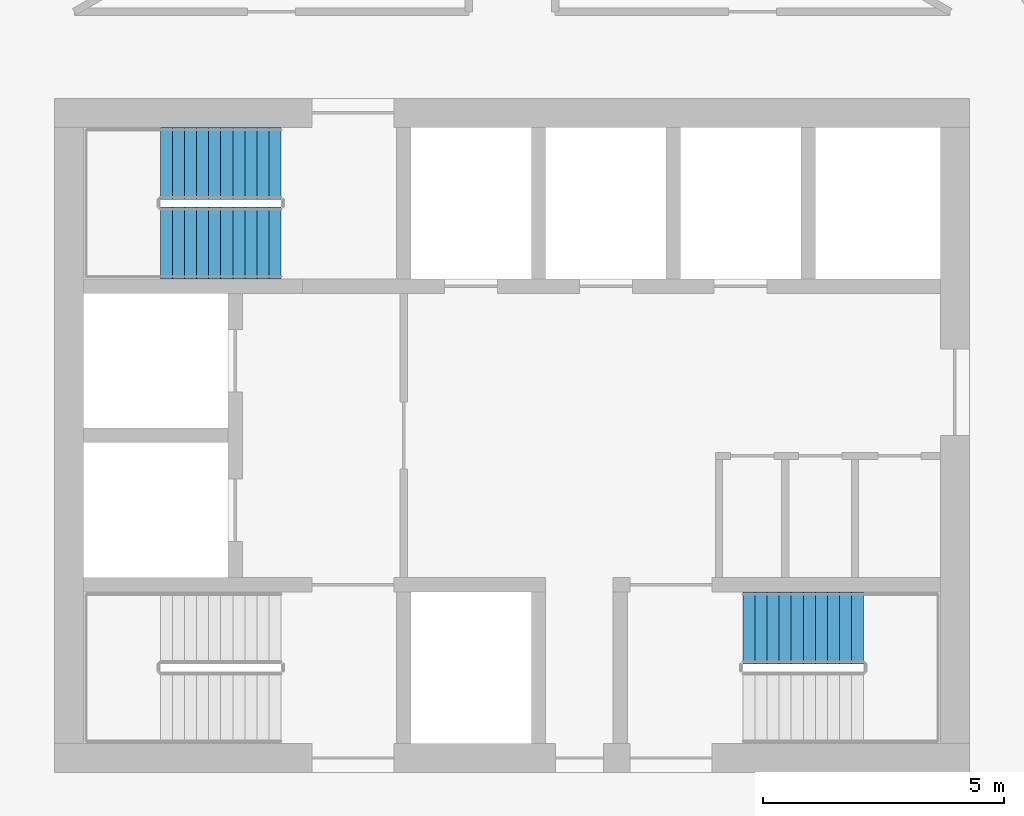
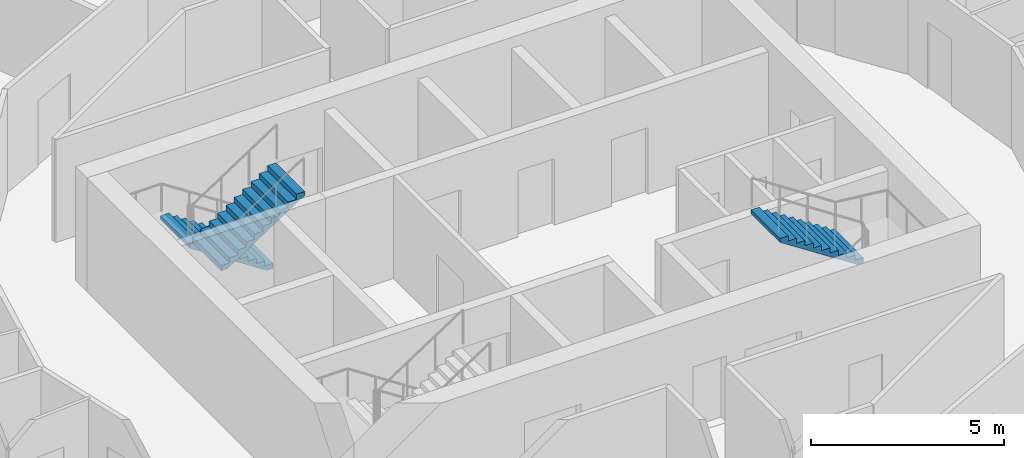
# One storey, part 11 of 13: 3 stair flights, 2 elements without a shape of their own.
"""IFC4 building model written with IfcOpenShell, lengths in metres."""

from ifc_helpers import new_model, si_unit, direction, frame, origin, place, context, subcontext, project, spatial, polyline, outline, extrude, material, type_object, element, aggregate, save


model = new_model("IFC4")

# Units and contexts
model_context = context("Model", 3, precision=1e-05, world=origin(), true_north=direction((0.0, 1.0)))
body_context = subcontext(model_context, "Body", "Model", "MODEL_VIEW")
ifc_project = project(units=[si_unit("LENGTHUNIT", "METRE"), si_unit("AREAUNIT", "SQUARE_METRE"), si_unit("VOLUMEUNIT", "CUBIC_METRE"), si_unit("PLANEANGLEUNIT", "RADIAN"), si_unit("MASSUNIT", "GRAM", prefix="KILO")], contexts=[model_context])

# Site, building, storey
site_placement = place(None, origin())
site = spatial("IfcSite", under=ifc_project, at=site_placement, CompositionType="ELEMENT")
building_placement = place(site_placement, origin())
building = spatial("IfcBuilding", under=site, at=building_placement, Name="Tracery Tower", CompositionType="ELEMENT")
storey_placement = place(building_placement, frame((0.0, 0.0, 231.0)))
storey = spatial("IfcBuildingStorey", under=building, at=storey_placement, Name="L59", CompositionType="ELEMENT", Elevation=231.0)

# Stair, stair flights
ifc_material_1 = material(Name="Concrete C32/40", Category="concrete")
stair_type = type_object("IfcStairType", Name="Core stair 22 risers", PredefinedType="HALF_TURN_STAIR", material=ifc_material_1)
stair_1_placement = place(storey_placement, origin())
stair_1 = element("IfcStair", 1, at=stair_1_placement, inside=storey, type_object=stair_type, Name="L59 stair ST3", PredefinedType="HALF_TURN_STAIR")
ifc_material_2 = material(Name="Concrete C32/40", Category="concrete")
stair_flight_type = type_object("IfcStairFlightType", Name="Core stair flight 11 risers", PredefinedType="STRAIGHT", material=ifc_material_2)
stair_flight_1_placement = place(storey_placement, frame((-4.800048828125, 5.64990234375, 0.0), z_axis=(0.0, 0.0, 1.0), x_axis=(-1.0, 0.0, 0.0)))
stair_flight_1 = element("IfcStairFlight", 2, at=stair_flight_1_placement, type_object=stair_flight_type, Name="ST3 flight 1", NumberOfRisers=11, NumberOfTreads=10, PredefinedType="STRAIGHT", RiserHeight=0.163636364, TreadLength=0.25, context=body_context, shape_type="SweptSolid", body=[
    extrude(outline(polyline([(0.0, 0.0), (0.0, 0.002685546875), (0.0, 0.00537109375), (0.0, 0.008056640625), (0.0, 0.0107421875), (0.0, 0.013427734375), (0.0, 0.01611328125), (0.0, 0.018798828125), (0.0, 0.021484375), (0.0, 0.024169921875), (0.0, 0.02685546875), (0.0, 0.029541015625), (0.0, 0.0322265625), (0.0, 0.034912109375), (0.0, 0.03759765625), (0.0, 0.040283203125), (0.0, 0.04296875), (0.0, 0.045654296875), (0.0, 0.04833984375), (0.0, 0.051025390625), (0.0, 0.0537109375), (0.0, 0.056396484375), (0.0, 0.05908203125), (0.0, 0.061767578125), (0.0, 0.064453125), (0.0, 0.067138671875), (0.0, 0.06982421875), (0.0, 0.072509765625), (0.0, 0.0751953125), (0.0, 0.077880859375), (0.0, 0.08056640625), (0.0, 0.083251953125), (0.0, 0.0859375), (0.0, 0.088623046875), (0.0, 0.09130859375), (0.0, 0.093994140625), (0.0, 0.0966796875), (0.0, 0.099365234375), (0.0, 0.10205078125), (0.0, 0.104736328125), (0.0, 0.107421875), (0.0, 0.10986328125), (0.0, 0.112548828125), (0.0, 0.115234375), (0.0, 0.117919921875), (0.0, 0.12060546875), (0.0, 0.123291015625), (0.0, 0.1259765625), (0.0, 0.128662109375), (0.0, 0.13134765625), (0.0, 0.134033203125), (0.0, 0.13671875), (0.0, 0.139404296875), (0.0, 0.14208984375), (0.0, 0.144775390625), (0.0, 0.1474609375), (0.0, 0.150146484375), (0.0, 0.15283203125), (0.0, 0.155517578125), (0.0, 0.158203125), (0.0, 0.160888671875), (0.0, 0.16357421875), (0.25, 0.16357421875), (0.25, 0.327392578125), (0.5, 0.327392578125), (0.5, 0.490966796875), (0.75, 0.490966796875), (0.75, 0.654541015625), (1.0, 0.654541015625), (1.0, 0.818115234375), (1.25, 0.818115234375), (1.25, 0.98193359375), (1.5, 0.98193359375), (1.5, 1.1455078125), (1.75, 1.1455078125), (1.75, 1.30908203125), (2.0, 1.30908203125), (2.0, 1.47265625), (2.25, 1.47265625), (2.25, 1.636474609375), (2.5, 1.636474609375), (2.5, 1.634521484375), (2.5, 1.63232421875), (2.5, 1.63037109375), (2.5, 1.62841796875), (2.5, 1.62646484375), (2.5, 1.62451171875), (2.5, 1.62255859375), (2.5, 1.62060546875), (2.5, 1.61865234375), (2.5, 1.61669921875), (2.5, 1.61474609375), (2.5, 1.61279296875), (2.5, 1.61083984375), (2.5, 1.60888671875), (2.5, 1.60693359375), (2.5, 1.60498046875), (2.5, 1.60302734375), (2.5, 1.60107421875), (2.5, 1.59912109375), (2.5, 1.59716796875), (2.5, 1.59521484375), (2.5, 1.59326171875), (2.5, 1.59130859375), (2.5, 1.58935546875), (2.5, 1.58740234375), (2.5, 1.58544921875), (2.5, 1.58349609375), (2.5, 1.58154296875), (2.5, 1.57958984375), (2.5, 1.57763671875), (2.5, 1.57568359375), (2.5, 1.573486328125), (2.5, 1.571533203125), (2.5, 1.569580078125), (2.5, 1.567626953125), (2.5, 1.565673828125), (2.5, 1.563720703125), (2.5, 1.561767578125), (2.5, 1.559814453125), (2.5, 1.557861328125), (2.5, 1.555908203125), (2.5, 1.553955078125), (2.5, 1.552001953125), (2.5, 1.550048828125), (2.5, 1.548095703125), (2.5, 1.546142578125), (2.5, 1.544189453125), (2.5, 1.542236328125), (2.5, 1.540283203125), (2.5, 1.538330078125), (2.5, 1.536376953125), (2.5, 1.534423828125), (2.5, 1.532470703125), (2.5, 1.530517578125), (2.5, 1.528564453125), (2.5, 1.526611328125), (2.5, 1.524658203125), (2.5, 1.522705078125), (2.5, 1.520751953125), (2.5, 1.518798828125), (2.5, 1.516845703125), (0.182861328125, 0.0), (0.0, 0.0)])), frame((0.0, 0.75, 0.0), z_axis=(0.0, -1.0, 0.0), x_axis=(1.0, 0.0, 0.0)), (0.0, 0.0, 1.0), 1.5),
])
stair_flight_2_placement = place(storey_placement, frame((-7.300048828125, 4.0, 1.800048828125), z_axis=(0.0, 0.0, 1.0), x_axis=(1.0, 0.0, 0.0)))
stair_flight_2 = element("IfcStairFlight", 3, at=stair_flight_2_placement, type_object=stair_flight_type, Name="ST3 flight 2", NumberOfRisers=11, NumberOfTreads=10, PredefinedType="STRAIGHT", RiserHeight=0.163636364, TreadLength=0.25, context=body_context, shape_type="SweptSolid", body=[
    extrude(outline(polyline([(0.0, 0.0), (0.0, 0.002685546875), (0.0, 0.00537109375), (0.0, 0.008056640625), (0.0, 0.0107421875), (0.0, 0.013427734375), (0.0, 0.01611328125), (0.0, 0.018798828125), (0.0, 0.021484375), (0.0, 0.024169921875), (0.0, 0.02685546875), (0.0, 0.029541015625), (0.0, 0.0322265625), (0.0, 0.034912109375), (0.0, 0.03759765625), (0.0, 0.040283203125), (0.0, 0.04296875), (0.0, 0.045654296875), (0.0, 0.04833984375), (0.0, 0.051025390625), (0.0, 0.0537109375), (0.0, 0.056396484375), (0.0, 0.05908203125), (0.0, 0.061767578125), (0.0, 0.064453125), (0.0, 0.067138671875), (0.0, 0.06982421875), (0.0, 0.072509765625), (0.0, 0.0751953125), (0.0, 0.077880859375), (0.0, 0.08056640625), (0.0, 0.083251953125), (0.0, 0.0859375), (0.0, 0.088623046875), (0.0, 0.09130859375), (0.0, 0.093994140625), (0.0, 0.0966796875), (0.0, 0.099365234375), (0.0, 0.10205078125), (0.0, 0.104736328125), (0.0, 0.107421875), (0.0, 0.10986328125), (0.0, 0.112548828125), (0.0, 0.115234375), (0.0, 0.117919921875), (0.0, 0.12060546875), (0.0, 0.123291015625), (0.0, 0.1259765625), (0.0, 0.128662109375), (0.0, 0.13134765625), (0.0, 0.134033203125), (0.0, 0.13671875), (0.0, 0.139404296875), (0.0, 0.14208984375), (0.0, 0.144775390625), (0.0, 0.1474609375), (0.0, 0.150146484375), (0.0, 0.15283203125), (0.0, 0.155517578125), (0.0, 0.158203125), (0.0, 0.160888671875), (0.0, 0.16357421875), (0.25, 0.16357421875), (0.25, 0.327392578125), (0.5, 0.327392578125), (0.5, 0.490966796875), (0.75, 0.490966796875), (0.75, 0.654541015625), (1.0, 0.654541015625), (1.0, 0.818115234375), (1.25, 0.818115234375), (1.25, 0.98193359375), (1.5, 0.98193359375), (1.5, 1.1455078125), (1.75, 1.1455078125), (1.75, 1.30908203125), (2.0, 1.30908203125), (2.0, 1.47265625), (2.25, 1.47265625), (2.25, 1.636474609375), (2.5, 1.636474609375), (2.5, 1.634521484375), (2.5, 1.63232421875), (2.5, 1.63037109375), (2.5, 1.62841796875), (2.5, 1.62646484375), (2.5, 1.62451171875), (2.5, 1.62255859375), (2.5, 1.62060546875), (2.5, 1.61865234375), (2.5, 1.61669921875), (2.5, 1.61474609375), (2.5, 1.61279296875), (2.5, 1.61083984375), (2.5, 1.60888671875), (2.5, 1.60693359375), (2.5, 1.60498046875), (2.5, 1.60302734375), (2.5, 1.60107421875), (2.5, 1.59912109375), (2.5, 1.59716796875), (2.5, 1.59521484375), (2.5, 1.59326171875), (2.5, 1.59130859375), (2.5, 1.58935546875), (2.5, 1.58740234375), (2.5, 1.58544921875), (2.5, 1.58349609375), (2.5, 1.58154296875), (2.5, 1.57958984375), (2.5, 1.57763671875), (2.5, 1.57568359375), (2.5, 1.573486328125), (2.5, 1.571533203125), (2.5, 1.569580078125), (2.5, 1.567626953125), (2.5, 1.565673828125), (2.5, 1.563720703125), (2.5, 1.561767578125), (2.5, 1.559814453125), (2.5, 1.557861328125), (2.5, 1.555908203125), (2.5, 1.553955078125), (2.5, 1.552001953125), (2.5, 1.550048828125), (2.5, 1.548095703125), (2.5, 1.546142578125), (2.5, 1.544189453125), (2.5, 1.542236328125), (2.5, 1.540283203125), (2.5, 1.538330078125), (2.5, 1.536376953125), (2.5, 1.534423828125), (2.5, 1.532470703125), (2.5, 1.530517578125), (2.5, 1.528564453125), (2.5, 1.526611328125), (2.5, 1.524658203125), (2.5, 1.522705078125), (2.5, 1.520751953125), (2.5, 1.518798828125), (2.5, 1.516845703125), (0.182861328125, 0.0), (0.0, 0.0)])), frame((0.0, 0.75, 0.0), z_axis=(0.0, -1.0, 0.0), x_axis=(1.0, 0.0, 0.0)), (0.0, 0.0, 1.0), 1.5),
])
aggregate(stair_1, [stair_flight_1, stair_flight_2])

# Stair, stair flight
stair_2_placement = place(storey_placement, origin())
stair_2 = element("IfcStair", 4, at=stair_2_placement, inside=storey, type_object=stair_type, Name="L59 stair ST2", PredefinedType="HALF_TURN_STAIR")
stair_flight_3_placement = place(storey_placement, frame((7.300048828125, -4.0, 1.800048828125), z_axis=(0.0, 0.0, 1.0), x_axis=(-1.0, 0.0, 0.0)))
stair_flight_3 = element("IfcStairFlight", 5, at=stair_flight_3_placement, type_object=stair_flight_type, Name="ST2 flight 2", NumberOfRisers=11, NumberOfTreads=10, PredefinedType="STRAIGHT", RiserHeight=0.163636364, TreadLength=0.25, context=body_context, shape_type="SweptSolid", body=[
    extrude(outline(polyline([(0.0, 0.0), (0.0, 0.002685546875), (0.0, 0.00537109375), (0.0, 0.008056640625), (0.0, 0.0107421875), (0.0, 0.013427734375), (0.0, 0.01611328125), (0.0, 0.018798828125), (0.0, 0.021484375), (0.0, 0.024169921875), (0.0, 0.02685546875), (0.0, 0.029541015625), (0.0, 0.0322265625), (0.0, 0.034912109375), (0.0, 0.03759765625), (0.0, 0.040283203125), (0.0, 0.04296875), (0.0, 0.045654296875), (0.0, 0.04833984375), (0.0, 0.051025390625), (0.0, 0.0537109375), (0.0, 0.056396484375), (0.0, 0.05908203125), (0.0, 0.061767578125), (0.0, 0.064453125), (0.0, 0.067138671875), (0.0, 0.06982421875), (0.0, 0.072509765625), (0.0, 0.0751953125), (0.0, 0.077880859375), (0.0, 0.08056640625), (0.0, 0.083251953125), (0.0, 0.0859375), (0.0, 0.088623046875), (0.0, 0.09130859375), (0.0, 0.093994140625), (0.0, 0.0966796875), (0.0, 0.099365234375), (0.0, 0.10205078125), (0.0, 0.104736328125), (0.0, 0.107421875), (0.0, 0.10986328125), (0.0, 0.112548828125), (0.0, 0.115234375), (0.0, 0.117919921875), (0.0, 0.12060546875), (0.0, 0.123291015625), (0.0, 0.1259765625), (0.0, 0.128662109375), (0.0, 0.13134765625), (0.0, 0.134033203125), (0.0, 0.13671875), (0.0, 0.139404296875), (0.0, 0.14208984375), (0.0, 0.144775390625), (0.0, 0.1474609375), (0.0, 0.150146484375), (0.0, 0.15283203125), (0.0, 0.155517578125), (0.0, 0.158203125), (0.0, 0.160888671875), (0.0, 0.16357421875), (0.25, 0.16357421875), (0.25, 0.327392578125), (0.5, 0.327392578125), (0.5, 0.490966796875), (0.75, 0.490966796875), (0.75, 0.654541015625), (1.0, 0.654541015625), (1.0, 0.818115234375), (1.25, 0.818115234375), (1.25, 0.98193359375), (1.5, 0.98193359375), (1.5, 1.1455078125), (1.75, 1.1455078125), (1.75, 1.30908203125), (2.0, 1.30908203125), (2.0, 1.47265625), (2.25, 1.47265625), (2.25, 1.636474609375), (2.5, 1.636474609375), (2.5, 1.634521484375), (2.5, 1.63232421875), (2.5, 1.63037109375), (2.5, 1.62841796875), (2.5, 1.62646484375), (2.5, 1.62451171875), (2.5, 1.62255859375), (2.5, 1.62060546875), (2.5, 1.61865234375), (2.5, 1.61669921875), (2.5, 1.61474609375), (2.5, 1.61279296875), (2.5, 1.61083984375), (2.5, 1.60888671875), (2.5, 1.60693359375), (2.5, 1.60498046875), (2.5, 1.60302734375), (2.5, 1.60107421875), (2.5, 1.59912109375), (2.5, 1.59716796875), (2.5, 1.59521484375), (2.5, 1.59326171875), (2.5, 1.59130859375), (2.5, 1.58935546875), (2.5, 1.58740234375), (2.5, 1.58544921875), (2.5, 1.58349609375), (2.5, 1.58154296875), (2.5, 1.57958984375), (2.5, 1.57763671875), (2.5, 1.57568359375), (2.5, 1.573486328125), (2.5, 1.571533203125), (2.5, 1.569580078125), (2.5, 1.567626953125), (2.5, 1.565673828125), (2.5, 1.563720703125), (2.5, 1.561767578125), (2.5, 1.559814453125), (2.5, 1.557861328125), (2.5, 1.555908203125), (2.5, 1.553955078125), (2.5, 1.552001953125), (2.5, 1.550048828125), (2.5, 1.548095703125), (2.5, 1.546142578125), (2.5, 1.544189453125), (2.5, 1.542236328125), (2.5, 1.540283203125), (2.5, 1.538330078125), (2.5, 1.536376953125), (2.5, 1.534423828125), (2.5, 1.532470703125), (2.5, 1.530517578125), (2.5, 1.528564453125), (2.5, 1.526611328125), (2.5, 1.524658203125), (2.5, 1.522705078125), (2.5, 1.520751953125), (2.5, 1.518798828125), (2.5, 1.516845703125), (0.182861328125, 0.0), (0.0, 0.0)])), frame((0.0, 0.75, 0.0), z_axis=(0.0, -1.0, 0.0), x_axis=(1.0, 0.0, 0.0)), (0.0, 0.0, 1.0), 1.5),
])
aggregate(stair_2, [stair_flight_3])

save(model, "model.ifc")
